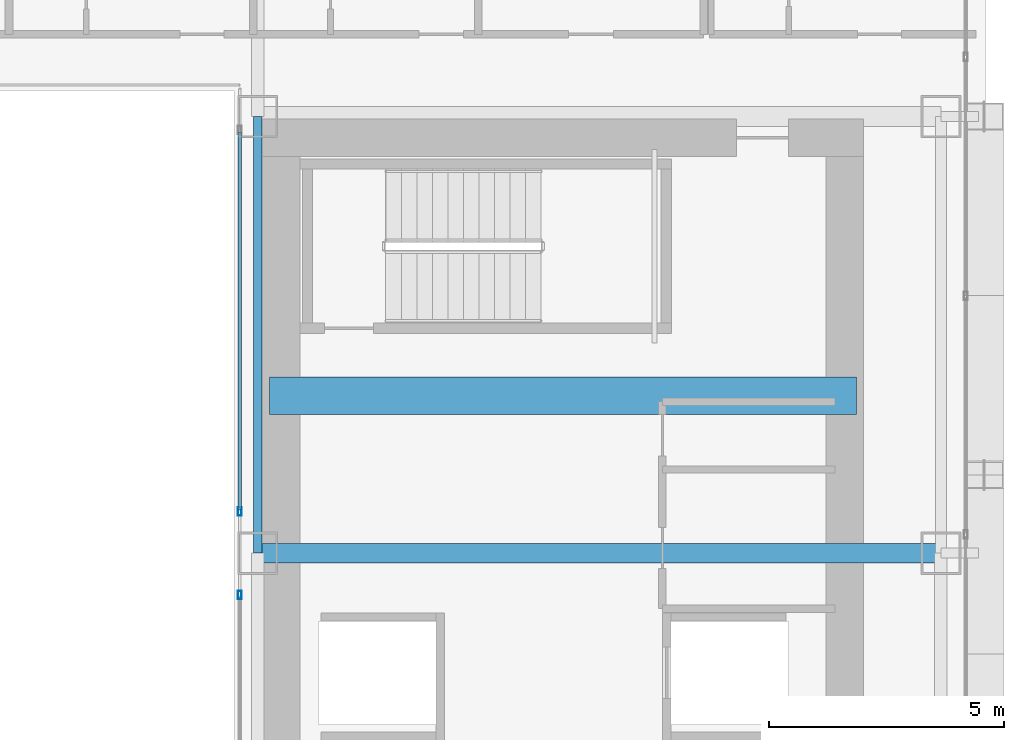
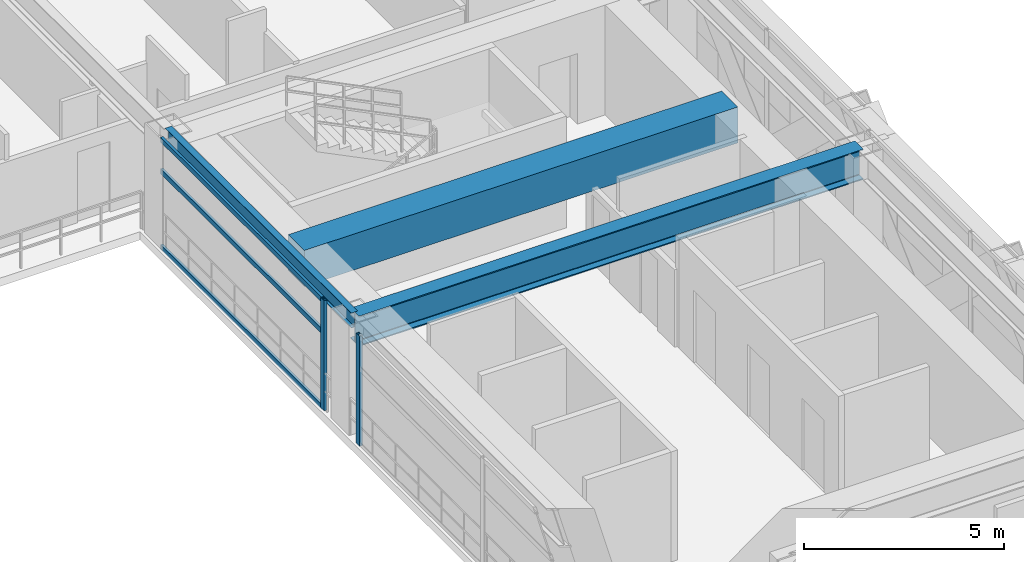
# One storey, part 17 of 41: 5 members, 3 beams, 2 elements without a shape of their own.
"""IFC4 building model written with IfcOpenShell, lengths in metres."""

from ifc_helpers import new_model, si_unit, direction, frame, origin, origin_2d, place, context, subcontext, project, spatial, rectangle, hollow_rectangle, i_section, extrude, source, transform, mapped, material, layer, layer_set, material_profile, profile_set, type_object, element, aggregate, save


model = new_model("IFC4")

# Units and contexts
model_context = context("Model", 3, precision=1e-05, world=origin(), true_north=direction((0.0, 1.0)))
body_context = subcontext(model_context, "Body", "Model", "MODEL_VIEW")
ifc_project = project(units=[si_unit("LENGTHUNIT", "METRE"), si_unit("AREAUNIT", "SQUARE_METRE"), si_unit("VOLUMEUNIT", "CUBIC_METRE"), si_unit("PLANEANGLEUNIT", "RADIAN"), si_unit("MASSUNIT", "GRAM", prefix="KILO")], contexts=[model_context])

# Site, building, storey
site_placement = place(None, origin())
site = spatial("IfcSite", under=ifc_project, at=site_placement, CompositionType="ELEMENT")
building_placement = place(site_placement, origin())
building = spatial("IfcBuilding", under=site, at=building_placement, Name="Ocotamira Hotel", CompositionType="ELEMENT")
storey_placement = place(building_placement, frame((0.0, 0.0, 67.199951171875)))
storey = spatial("IfcBuildingStorey", under=building, at=storey_placement, Name="L16", CompositionType="ELEMENT", Elevation=67.199951171875)

# Beams
ifc_material_1 = material(Name="Concrete C60/75", Category="concrete")
ifc_material_profile_1 = material_profile(ifc_material_1, rectangle(XDim=0.800048828125, YDim=1.10009765625, at=origin_2d()), Name="RC800X1100")
ifc_profile_set_1 = profile_set([ifc_material_profile_1], Name="Concrete C60/75")
beam_type_1 = type_object("IfcBeamType", Name="BM-LINK-RC800", PredefinedType="LINTEL", material=ifc_profile_set_1)
shared_shape_1 = source(origin(), body_context, "Body", "SweptSolid", [
    extrude(rectangle(XDim=0.800048828125, YDim=1.10009765625, at=origin_2d()), origin(), (0.0, 0.0, 1.0), 12.5),
])
beam_1_placement = place(storey_placement, frame((40.75, 31.5, 2.800048828125), z_axis=(1.0, 0.0, 0.0), x_axis=(0.0, 1.0, 0.0)))
element("IfcBeam", 1, at=beam_1_placement, inside=storey, type_object=beam_type_1, Name="L16 East Core Coupling Beam", PredefinedType="LINTEL", context=body_context, shape_type="MappedRepresentation", body=[
    mapped(shared_shape_1, transform((0.0, 0.0, 0.0), scale=1.0)),
])
ifc_material_2 = material(Name="Steel ASTM A992 Grade 50", Category="steel")
ifc_material_profile_2 = material_profile(ifc_material_2, i_section(OverallWidth=0.41796875, OverallDepth=0.927001953125, WebThickness=0.019287109375, FlangeThickness=0.031982421875, FilletRadius=0.02392578125, at=origin_2d()), Name="W36X231")
ifc_profile_set_2 = profile_set([ifc_material_profile_2], Name="Steel ASTM A992 Grade 50")
beam_type_2 = type_object("IfcBeamType", Name="BM-GIRD-W36X231", PredefinedType="BEAM", material=ifc_profile_set_2)
shared_shape_2 = source(origin(), body_context, "Body", "SweptSolid", [
    extrude(i_section(OverallWidth=0.41796875, OverallDepth=0.927001953125, WebThickness=0.019287109375, FlangeThickness=0.031982421875, FilletRadius=0.02392578125, at=origin_2d()), origin(), (0.0, 0.0, 1.0), 14.550048828125),
])
beam_2_placement = place(storey_placement, frame((40.5, 28.14990234375, 2.886474609375), z_axis=(1.0, 0.0, 0.0), x_axis=(0.0, 1.0, 0.0)))
element("IfcBeam", 2, at=beam_2_placement, inside=storey, type_object=beam_type_2, Name="L16 Girder Y28.15 X40.5-55.05", PredefinedType="BEAM", context=body_context, shape_type="MappedRepresentation", body=[
    mapped(shared_shape_2, transform((0.0, 0.0, 0.0), scale=1.0)),
])
ifc_material_profile_3 = material_profile(ifc_material_2, i_section(OverallWidth=0.18994140625, OverallDepth=0.45703125, WebThickness=0.009033203125, FlangeThickness=0.014404296875, FilletRadius=0.010009765625, at=origin_2d()), Name="W18X50")
ifc_profile_set_3 = profile_set([ifc_material_profile_3], Name="Steel ASTM A992 Grade 50")
beam_type_3 = type_object("IfcBeamType", Name="BM-SEC-W18X50", PredefinedType="JOIST", material=ifc_profile_set_3)
shared_shape_3 = source(origin(), body_context, "Body", "SweptSolid", [
    extrude(i_section(OverallWidth=0.18994140625, OverallDepth=0.45703125, WebThickness=0.009033203125, FlangeThickness=0.014404296875, FilletRadius=0.010009765625, at=origin_2d()), origin(), (0.0, 0.0, 1.0), 9.300048828125),
])
beam_3_placement = place(storey_placement, frame((40.5, 28.14990234375, 3.12158203125), z_axis=(0.0, 1.0, 0.0), x_axis=(-1.0, 0.0, 0.0)))
element("IfcBeam", 3, at=beam_3_placement, inside=storey, type_object=beam_type_3, Name="L16 Beam X40.5 Y28.15-37.45", PredefinedType="JOIST", context=body_context, shape_type="MappedRepresentation", body=[
    mapped(shared_shape_3, transform((0.0, 0.0, 0.0), scale=1.0)),
])

# Curtain wall, member
ifc_material_3 = material(Name="Anodised pale-metal aluminium and solar glass", Category="aluminium")
ifc_layer = layer(ifc_material_3, 0.159912109375)
ifc_layer_set = layer_set([ifc_layer], Name="Anodised pale-metal aluminium and solar glass")
curtain_wall_type = type_object("IfcCurtainWallType", Name="CW-SYS6-ATR", PredefinedType="NOTDEFINED", material=ifc_layer_set)
curtain_wall_1_placement = place(storey_placement, origin())
curtain_wall_1 = element("IfcCurtainWall", 4, at=curtain_wall_1_placement, inside=storey, type_object=curtain_wall_type, Name="L16 Curtain Wall CW-6 CW-L16-ATRE1", PredefinedType="NOTDEFINED")
ifc_material_4 = material(Name="Anodised pale-metal aluminium 6063-T6", Category="aluminium")
ifc_material_profile_4 = material_profile(ifc_material_4, hollow_rectangle(XDim=0.080078125, YDim=0.179931640625, WallThickness=0.006103515625, at=origin_2d()), Name="HSS180X80X6")
ifc_profile_set_4 = profile_set([ifc_material_profile_4], Name="Anodised pale-metal aluminium 6063-T6")
member_type_1 = type_object("IfcMemberType", Name="CWM-180X75", PredefinedType="MULLION", material=ifc_profile_set_4)
shared_shape_4 = source(origin(), body_context, "Body", "SweptSolid", [
    extrude(hollow_rectangle(XDim=0.080078125, YDim=0.179931640625, WallThickness=0.006103515625, at=origin_2d()), origin(), (0.0, 0.0, 1.0), 3.35009765625),
])
member_1_placement = place(storey_placement, frame((40.1201171875, 27.260009765625, 0.0), z_axis=(0.0, 0.0, 1.0), x_axis=(-1.0, 0.0, 0.0)))
member_1 = element("IfcMember", 5, at=member_1_placement, type_object=member_type_1, Name="CW-6 mullion 3", PredefinedType="MULLION", context=body_context, shape_type="MappedRepresentation", body=[
    mapped(shared_shape_4, transform((0.0, 0.0, 0.0), scale=1.0)),
])
aggregate(curtain_wall_1, [member_1])

# Curtain wall, members
curtain_wall_2_placement = place(storey_placement, origin())
curtain_wall_2 = element("IfcCurtainWall", 6, at=curtain_wall_2_placement, inside=storey, type_object=curtain_wall_type, Name="L16 Curtain Wall CW-6 CW-L16-ATRE2", PredefinedType="NOTDEFINED")
member_2_placement = place(storey_placement, frame((40.1201171875, 29.0400390625, 0.0), z_axis=(0.0, 0.0, 1.0), x_axis=(-1.0, 0.0, 0.0)))
member_2 = element("IfcMember", 7, at=member_2_placement, type_object=member_type_1, Name="CW-6 mullion 1", PredefinedType="MULLION", context=body_context, shape_type="MappedRepresentation", body=[
    mapped(shared_shape_4, transform((0.0, 0.0, 0.0), scale=1.0)),
])
ifc_material_profile_5 = material_profile(ifc_material_4, hollow_rectangle(XDim=0.074951171875, YDim=0.14990234375, WallThickness=0.006103515625, at=origin_2d()), Name="HSS150X75X6")
ifc_profile_set_5 = profile_set([ifc_material_profile_5], Name="Anodised pale-metal aluminium 6063-T6")
member_type_2 = type_object("IfcMemberType", Name="CWT-150X75", PredefinedType="USERDEFINED", material=ifc_profile_set_5)
shared_shape_5 = source(origin(), body_context, "Body", "SweptSolid", [
    extrude(hollow_rectangle(XDim=0.074951171875, YDim=0.14990234375, WallThickness=0.006103515625, at=origin_2d()), origin(), (0.0, 0.0, 1.0), 8.0400390625),
])
member_3_placement = place(storey_placement, frame((40.1201171875, 29.080078125, 0.03759765625), z_axis=(0.0, 1.0, 0.0), x_axis=(-1.0, 0.0, 0.0)))
member_3 = element("IfcMember", 8, at=member_3_placement, type_object=member_type_2, Name="CW-6 transom 1.1", ObjectType="TRANSOM", PredefinedType="USERDEFINED", context=body_context, shape_type="MappedRepresentation", body=[
    mapped(shared_shape_5, transform((0.0, 0.0, 0.0), scale=1.0)),
])
member_4_placement = place(storey_placement, frame((40.1201171875, 29.080078125, 2.35009765625), z_axis=(0.0, 1.0, 0.0), x_axis=(-1.0, 0.0, 0.0)))
member_4 = element("IfcMember", 9, at=member_4_placement, type_object=member_type_2, Name="CW-6 transom 1.2", ObjectType="TRANSOM", PredefinedType="USERDEFINED", context=body_context, shape_type="MappedRepresentation", body=[
    mapped(shared_shape_5, transform((0.0, 0.0, 0.0), scale=1.0)),
])
member_5_placement = place(storey_placement, frame((40.1201171875, 29.080078125, 3.3125), z_axis=(0.0, 1.0, 0.0), x_axis=(-1.0, 0.0, 0.0)))
member_5 = element("IfcMember", 10, at=member_5_placement, type_object=member_type_2, Name="CW-6 transom 1.3", ObjectType="TRANSOM", PredefinedType="USERDEFINED", context=body_context, shape_type="MappedRepresentation", body=[
    mapped(shared_shape_5, transform((0.0, 0.0, 0.0), scale=1.0)),
])
aggregate(curtain_wall_2, [member_2, member_3, member_4, member_5])

save(model, "model.ifc")
